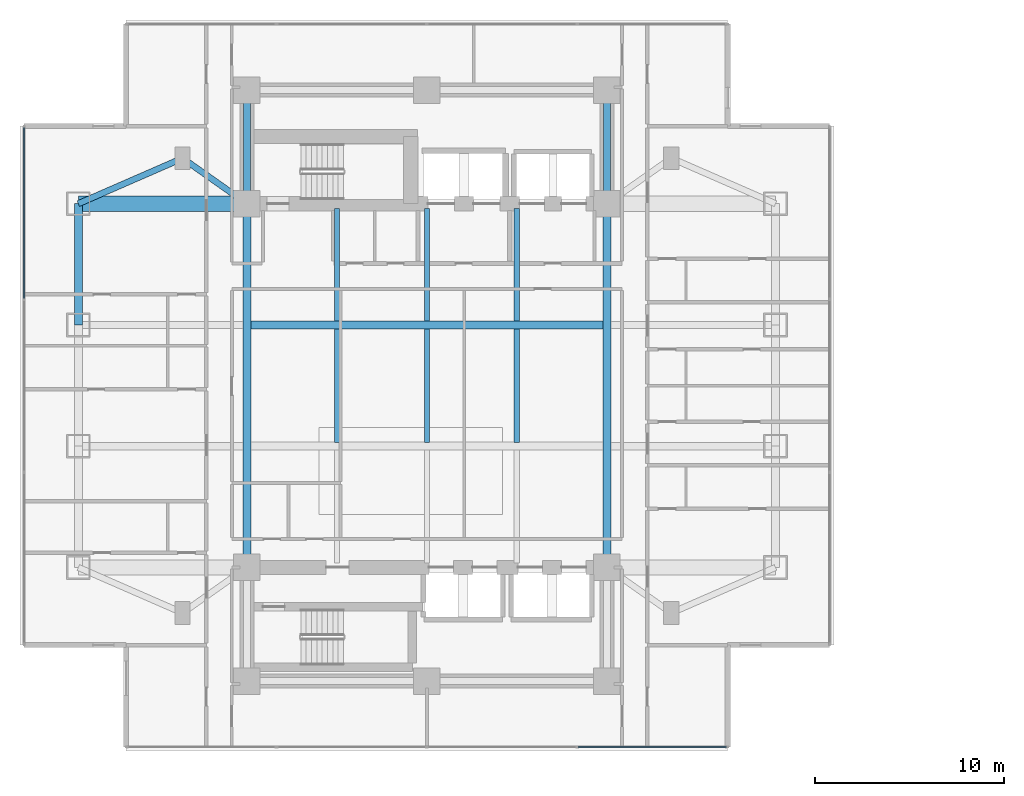
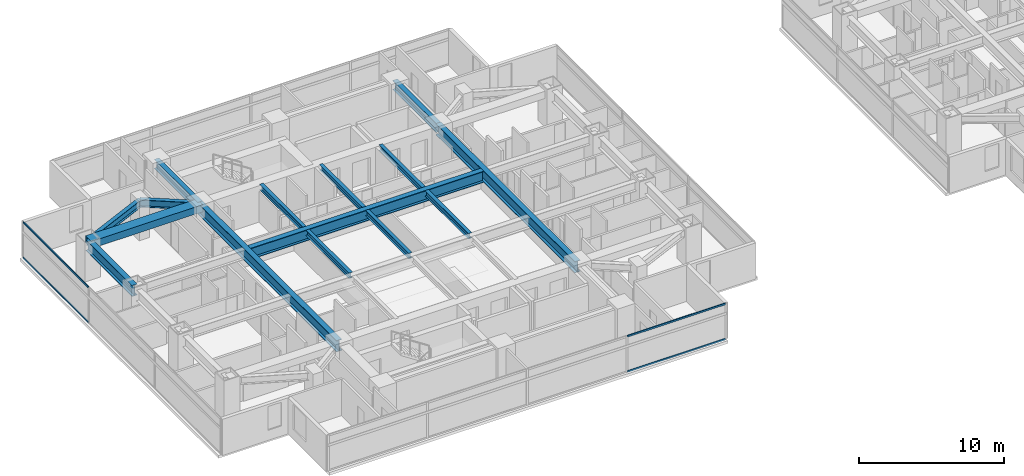
# One storey, part 3 of 26: 15 beams, 4 members, 2 elements without a shape of their own.
"""IFC4 building model written with IfcOpenShell, lengths in metres."""

from ifc_helpers import new_model, si_unit, direction, frame, origin, origin_2d, place, context, subcontext, project, spatial, rectangle, i_section, extrude, material, material_profile, profile_set, type_object, element, aggregate, save


model = new_model("IFC4")

# Units and contexts
model_context = context("Model", 3, precision=1e-05, world=origin(), true_north=direction((0.0, 1.0)))
body_context = subcontext(model_context, "Body", "Model", "MODEL_VIEW")
ifc_project = project(units=[si_unit("LENGTHUNIT", "METRE"), si_unit("AREAUNIT", "SQUARE_METRE"), si_unit("VOLUMEUNIT", "CUBIC_METRE"), si_unit("PLANEANGLEUNIT", "RADIAN"), si_unit("MASSUNIT", "GRAM", prefix="KILO")], contexts=[model_context])

# Site, building, storey
site_placement = place(None, origin())
site = spatial("IfcSite", under=ifc_project, at=site_placement, CompositionType="ELEMENT")
building_placement = place(site_placement, origin())
building = spatial("IfcBuilding", under=site, at=building_placement, Name="Mirazonda Arch Towers", CompositionType="ELEMENT")
storey_placement = place(building_placement, frame((0.0, 0.0, 25.699951171875)))
storey = spatial("IfcBuildingStorey", under=building, at=storey_placement, Name="L06", CompositionType="ELEMENT", Elevation=25.699951171875)

# Beams
ifc_material_1 = material(Name="Steel ASTM A992 Grade 50", Category="steel")
ifc_material_profile_1 = material_profile(ifc_material_1, i_section(OverallWidth=0.41796875, OverallDepth=0.927001953125, WebThickness=0.019287109375, FlangeThickness=0.031982421875, at=origin_2d()), Name="W36X231")
ifc_profile_set_1 = profile_set([ifc_material_profile_1], Name="Steel ASTM A992 Grade 50")
beam_type_1 = type_object("IfcBeamType", Name="BM-EXT-W36X231", PredefinedType="USERDEFINED", material=ifc_profile_set_1)
beam_1_placement = place(storey_placement, frame((2.10009765625, 31.199951171875, 2.596435546875), z_axis=(0.0, 1.0, 0.0), x_axis=(-1.0, 0.0, 0.0)))
element("IfcBeam", 1, at=beam_1_placement, inside=storey, type_object=beam_type_1, Name="L06 Floor Beam BM-T1-L06-NS-W-31", ObjectType="GIRDER", PredefinedType="USERDEFINED", context=body_context, shape_type="SweptSolid", body=[
    extrude(i_section(OverallWidth=0.41796875, OverallDepth=0.927001953125, WebThickness=0.019287109375, FlangeThickness=0.031982421875, at=origin_2d()), origin(), (0.0, 0.0, 1.0), 6.400146484375),
])
ifc_material_profile_2 = material_profile(ifc_material_1, i_section(OverallWidth=0.280029296875, OverallDepth=0.462890625, WebThickness=0.0107421875, FlangeThickness=0.017333984375, at=origin_2d()), Name="W18X76")
ifc_profile_set_2 = profile_set([ifc_material_profile_2], Name="Steel ASTM A992 Grade 50")
beam_type_2 = type_object("IfcBeamType", Name="BM-INT-W18X76", PredefinedType="JOIST", material=ifc_profile_set_2)
beam_2_placement = place(storey_placement, frame((15.75, 31.407470703125, 2.82861328125), z_axis=(0.0, 1.0, 0.0), x_axis=(-1.0, 0.0, 0.0)))
element("IfcBeam", 2, at=beam_2_placement, inside=storey, type_object=beam_type_2, Name="L06 Floor Beam BM-T1-L06-J-157-31", PredefinedType="JOIST", context=body_context, shape_type="SweptSolid", body=[
    extrude(i_section(OverallWidth=0.280029296875, OverallDepth=0.462890625, WebThickness=0.0107421875, FlangeThickness=0.017333984375, at=origin_2d()), origin(), (0.0, 0.0, 1.0), 5.95263671875),
])
beam_3_placement = place(storey_placement, frame((15.75, 25.007568359375, 2.82861328125), z_axis=(0.0, 1.0, 0.0), x_axis=(-1.0, 0.0, 0.0)))
element("IfcBeam", 3, at=beam_3_placement, inside=storey, type_object=beam_type_2, Name="L06 Floor Beam BM-T1-L06-J-157-24", PredefinedType="JOIST", context=body_context, shape_type="SweptSolid", body=[
    extrude(i_section(OverallWidth=0.280029296875, OverallDepth=0.462890625, WebThickness=0.0107421875, FlangeThickness=0.017333984375, at=origin_2d()), origin(), (0.0, 0.0, 1.0), 5.98486328125),
])
beam_4_placement = place(storey_placement, frame((20.5, 31.407470703125, 2.82861328125), z_axis=(0.0, 1.0, 0.0), x_axis=(-1.0, 0.0, 0.0)))
element("IfcBeam", 4, at=beam_4_placement, inside=storey, type_object=beam_type_2, Name="L06 Floor Beam BM-T1-L06-J-205-31", PredefinedType="JOIST", context=body_context, shape_type="SweptSolid", body=[
    extrude(i_section(OverallWidth=0.280029296875, OverallDepth=0.462890625, WebThickness=0.0107421875, FlangeThickness=0.017333984375, at=origin_2d()), origin(), (0.0, 0.0, 1.0), 5.95263671875),
])
beam_5_placement = place(storey_placement, frame((20.5, 25.007568359375, 2.82861328125), z_axis=(0.0, 1.0, 0.0), x_axis=(-1.0, 0.0, 0.0)))
element("IfcBeam", 5, at=beam_5_placement, inside=storey, type_object=beam_type_2, Name="L06 Floor Beam BM-T1-L06-J-205-24", PredefinedType="JOIST", context=body_context, shape_type="SweptSolid", body=[
    extrude(i_section(OverallWidth=0.280029296875, OverallDepth=0.462890625, WebThickness=0.0107421875, FlangeThickness=0.017333984375, at=origin_2d()), origin(), (0.0, 0.0, 1.0), 5.98486328125),
])
beam_6_placement = place(storey_placement, frame((25.25, 31.407470703125, 2.82861328125), z_axis=(0.0, 1.0, 0.0), x_axis=(-1.0, 0.0, 0.0)))
element("IfcBeam", 6, at=beam_6_placement, inside=storey, type_object=beam_type_2, Name="L06 Floor Beam BM-T1-L06-J-252-31", PredefinedType="JOIST", context=body_context, shape_type="SweptSolid", body=[
    extrude(i_section(OverallWidth=0.280029296875, OverallDepth=0.462890625, WebThickness=0.0107421875, FlangeThickness=0.017333984375, at=origin_2d()), origin(), (0.0, 0.0, 1.0), 5.95263671875),
])
beam_7_placement = place(storey_placement, frame((25.25, 25.007568359375, 2.82861328125), z_axis=(0.0, 1.0, 0.0), x_axis=(-1.0, 0.0, 0.0)))
element("IfcBeam", 7, at=beam_7_placement, inside=storey, type_object=beam_type_2, Name="L06 Floor Beam BM-T1-L06-J-252-24", PredefinedType="JOIST", context=body_context, shape_type="SweptSolid", body=[
    extrude(i_section(OverallWidth=0.280029296875, OverallDepth=0.462890625, WebThickness=0.0107421875, FlangeThickness=0.017333984375, at=origin_2d()), origin(), (0.0, 0.0, 1.0), 5.98486328125),
])
ifc_material_profile_3 = material_profile(ifc_material_1, i_section(OverallWidth=0.324951171875, OverallDepth=0.615966796875, WebThickness=0.013916015625, FlangeThickness=0.021484375, at=origin_2d()), Name="W24X117")
ifc_profile_set_3 = profile_set([ifc_material_profile_3], Name="Steel ASTM A992 Grade 50")
beam_type_3 = type_object("IfcBeamType", Name="BM-INT-W24X117", PredefinedType="BEAM", material=ifc_profile_set_3)
beam_8_placement = place(storey_placement, frame((7.60009765625, 40.0, 2.751953125), z_axis=(0.816971114901, -0.576678591087, 0.0), x_axis=(0.576678591087, 0.816971114901, 0.0)))
element("IfcBeam", 8, at=beam_8_placement, inside=storey, type_object=beam_type_3, Name="L06 Floor Beam BM-T1-L06-PL-NW1", PredefinedType="BEAM", context=body_context, shape_type="SweptSolid", body=[
    extrude(i_section(OverallWidth=0.324951171875, OverallDepth=0.615966796875, WebThickness=0.013916015625, FlangeThickness=0.021484375, at=origin_2d()), origin(), (0.0, 0.0, 1.0), 4.16162109375),
])
beam_9_placement = place(storey_placement, frame((7.60009765625, 40.0, 2.751953125), z_axis=(-0.916545343703, -0.399930785183, 0.0), x_axis=(0.399930785183, -0.916545343703, 0.0)))
element("IfcBeam", 9, at=beam_9_placement, inside=storey, type_object=beam_type_3, Name="L06 Floor Beam BM-T1-L06-PL-NW2", PredefinedType="BEAM", context=body_context, shape_type="SweptSolid", body=[
    extrude(i_section(OverallWidth=0.324951171875, OverallDepth=0.615966796875, WebThickness=0.013916015625, FlangeThickness=0.021484375, at=origin_2d()), origin(), (0.0, 0.0, 1.0), 6.000732421875),
])
ifc_material_profile_4 = material_profile(ifc_material_1, i_section(OverallWidth=0.381103515625, OverallDepth=0.77294921875, WebThickness=0.0166015625, FlangeThickness=0.027099609375, at=origin_2d()), Name="W30X173")
ifc_profile_set_4 = profile_set([ifc_material_profile_4], Name="Steel ASTM A992 Grade 50")
beam_type_4 = type_object("IfcBeamType", Name="BM-INT-W30X173", PredefinedType="USERDEFINED", material=ifc_profile_set_4)
for number, where, z_axis, x_axis, name in (
    (10, (11.0, 37.60009765625, 2.673583984375), (0.0, 1.0, 0.0), (-1.0, 0.0, 0.0), "L06 Floor Beam BM-T1-L06-CNW"),
    (11, (30.0, 37.60009765625, 2.673583984375), (0.0, 1.0, 0.0), (-1.0, 0.0, 0.0), "L06 Floor Beam BM-T1-L06-CNE"),
):
    element("IfcBeam", number, at=place(storey_placement, frame(where, z_axis=z_axis, x_axis=x_axis)), inside=storey, type_object=beam_type_4, Name=name, ObjectType="GIRDER", PredefinedType="USERDEFINED", context=body_context, shape_type="SweptSolid", body=[
        extrude(i_section(OverallWidth=0.381103515625, OverallDepth=0.77294921875, WebThickness=0.0166015625, FlangeThickness=0.027099609375, at=origin_2d()), origin(), (0.0, 0.0, 1.0), 6.0),
    ])
ifc_material_profile_5 = material_profile(ifc_material_1, i_section(OverallWidth=0.423095703125, OverallDepth=0.947998046875, WebThickness=0.02392578125, FlangeThickness=0.042724609375, at=origin_2d()), Name="W36X302")
ifc_profile_set_5 = profile_set([ifc_material_profile_5], Name="Steel ASTM A992 Grade 50")
beam_type_5 = type_object("IfcBeamType", Name="BM-INT-W36X302", PredefinedType="USERDEFINED", material=ifc_profile_set_5)
beam_10_placement = place(storey_placement, frame((11.21142578125, 31.199951171875, 2.5859375), z_axis=(1.0, 0.0, 0.0), x_axis=(0.0, 1.0, 0.0)))
element("IfcBeam", 12, at=beam_10_placement, inside=storey, type_object=beam_type_5, Name="L06 Floor Beam BM-T1-L06-GC3", ObjectType="GIRDER", PredefinedType="USERDEFINED", context=body_context, shape_type="SweptSolid", body=[
    extrude(i_section(OverallWidth=0.423095703125, OverallDepth=0.947998046875, WebThickness=0.02392578125, FlangeThickness=0.042724609375, at=origin_2d()), origin(), (0.0, 0.0, 1.0), 18.5771484375),
])
for number, where, z_axis, x_axis, name in (
    (13, (11.0, 18.39990234375, 2.5859375), (0.0, 1.0, 0.0), (-1.0, 0.0, 0.0), "L06 Floor Beam BM-T1-L06-NS-CW-FULL"),
    (14, (30.0, 18.39990234375, 2.5859375), (0.0, 1.0, 0.0), (-1.0, 0.0, 0.0), "L06 Floor Beam BM-T1-L06-NS-CE-FULL"),
):
    element("IfcBeam", number, at=place(storey_placement, frame(where, z_axis=z_axis, x_axis=x_axis)), inside=storey, type_object=beam_type_5, Name=name, ObjectType="GIRDER", PredefinedType="USERDEFINED", context=body_context, shape_type="SweptSolid", body=[
        extrude(i_section(OverallWidth=0.423095703125, OverallDepth=0.947998046875, WebThickness=0.02392578125, FlangeThickness=0.042724609375, at=origin_2d()), origin(), (0.0, 0.0, 1.0), 19.2001953125),
    ])
ifc_material_2 = material(Name="Concrete C60/75", Category="concrete")
ifc_material_profile_6 = material_profile(ifc_material_2, rectangle(XDim=0.800048828125, YDim=0.60009765625, at=origin_2d()), Name="RCCB800x600")
ifc_profile_set_6 = profile_set([ifc_material_profile_6], Name="Concrete C60/75")
beam_type_6 = type_object("IfcBeamType", Name="CB-INT-RCCB800x600", PredefinedType="SPANDREL", material=ifc_profile_set_6)
beam_11_placement = place(storey_placement, frame((2.10009765625, 37.60009765625, 2.760009765625), z_axis=(1.0, 0.0, 0.0), x_axis=(0.0, 1.0, 0.0)))
element("IfcBeam", 15, at=beam_11_placement, inside=storey, type_object=beam_type_6, Name="L06 Floor Beam CBC-T1-L06-NW", PredefinedType="SPANDREL", context=body_context, shape_type="SweptSolid", body=[
    extrude(rectangle(XDim=0.800048828125, YDim=0.60009765625, at=origin_2d()), origin(), (0.0, 0.0, 1.0), 8.89990234375),
])

# Curtain wall, members
ifc_material_3 = material(Name="Anodised Aluminium and Low-E Glass", Category="aluminium")
curtain_wall_type = type_object("IfcCurtainWallType", Name="CW-HTL-UNIT", PredefinedType="NOTDEFINED", material=ifc_material_3)
curtain_wall_1_placement = place(storey_placement, origin())
curtain_wall_1 = element("IfcCurtainWall", 16, at=curtain_wall_1_placement, inside=storey, type_object=curtain_wall_type, Name="L06 T1 S Facade CW-L06-T1-S", PredefinedType="NOTDEFINED")
ifc_material_4 = material(Name="Anodised Aluminium Alloy", Category="aluminium")
ifc_material_profile_7 = material_profile(ifc_material_4, rectangle(XDim=0.074951171875, YDim=0.14501953125, at=origin_2d()), Name="ALU-TRAN-75x145")
ifc_profile_set_7 = profile_set([ifc_material_profile_7], Name="Anodised Aluminium Alloy")
member_type = type_object("IfcMemberType", Name="TRAN-CW-HTL-UNIT", PredefinedType="USERDEFINED", material=ifc_profile_set_7)
member_1_placement = place(storey_placement, frame((36.304931640625, 8.922119140625, 0.03759765625), z_axis=(-1.0, 0.0, 0.0), x_axis=(0.0, -1.0, 0.0)))
member_1 = element("IfcMember", 17, at=member_1_placement, type_object=member_type, Name="CW-112 transom 1.1", ObjectType="TRANSOM", PredefinedType="USERDEFINED", context=body_context, shape_type="SweptSolid", body=[
    extrude(rectangle(XDim=0.074951171875, YDim=0.14501953125, at=origin_2d()), origin(), (0.0, 0.0, 1.0), 7.827392578125),
])
member_2_placement = place(storey_placement, frame((36.304931640625, 8.922119140625, 3.00244140625), z_axis=(-1.0, 0.0, 0.0), x_axis=(0.0, -1.0, 0.0)))
member_2 = element("IfcMember", 18, at=member_2_placement, type_object=member_type, Name="CW-112 transom 1.2", ObjectType="TRANSOM", PredefinedType="USERDEFINED", context=body_context, shape_type="SweptSolid", body=[
    extrude(rectangle(XDim=0.074951171875, YDim=0.14501953125, at=origin_2d()), origin(), (0.0, 0.0, 1.0), 7.827392578125),
])
aggregate(curtain_wall_1, [member_1, member_2])

curtain_wall_2_placement = place(storey_placement, origin())
curtain_wall_2 = element("IfcCurtainWall", 19, at=curtain_wall_2_placement, inside=storey, type_object=curtain_wall_type, Name="L06 T1 W Facade CW-L06-T1-W", PredefinedType="NOTDEFINED")
member_3_placement = place(storey_placement, frame((-0.760009765625, 41.623046875, 0.03759765625), z_axis=(0.0, -1.0, 0.0), x_axis=(1.0, 0.0, 0.0)))
member_3 = element("IfcMember", 20, at=member_3_placement, type_object=member_type, Name="CW-112 transom 1.1", ObjectType="TRANSOM", PredefinedType="USERDEFINED", context=body_context, shape_type="SweptSolid", body=[
    extrude(rectangle(XDim=0.074951171875, YDim=0.14501953125, at=origin_2d()), origin(), (0.0, 0.0, 1.0), 9.01953125),
])
member_4_placement = place(storey_placement, frame((-0.760009765625, 41.623046875, 3.00244140625), z_axis=(0.0, -1.0, 0.0), x_axis=(1.0, 0.0, 0.0)))
member_4 = element("IfcMember", 21, at=member_4_placement, type_object=member_type, Name="CW-112 transom 1.2", ObjectType="TRANSOM", PredefinedType="USERDEFINED", context=body_context, shape_type="SweptSolid", body=[
    extrude(rectangle(XDim=0.074951171875, YDim=0.14501953125, at=origin_2d()), origin(), (0.0, 0.0, 1.0), 9.01953125),
])
aggregate(curtain_wall_2, [member_3, member_4])

save(model, "model.ifc")
